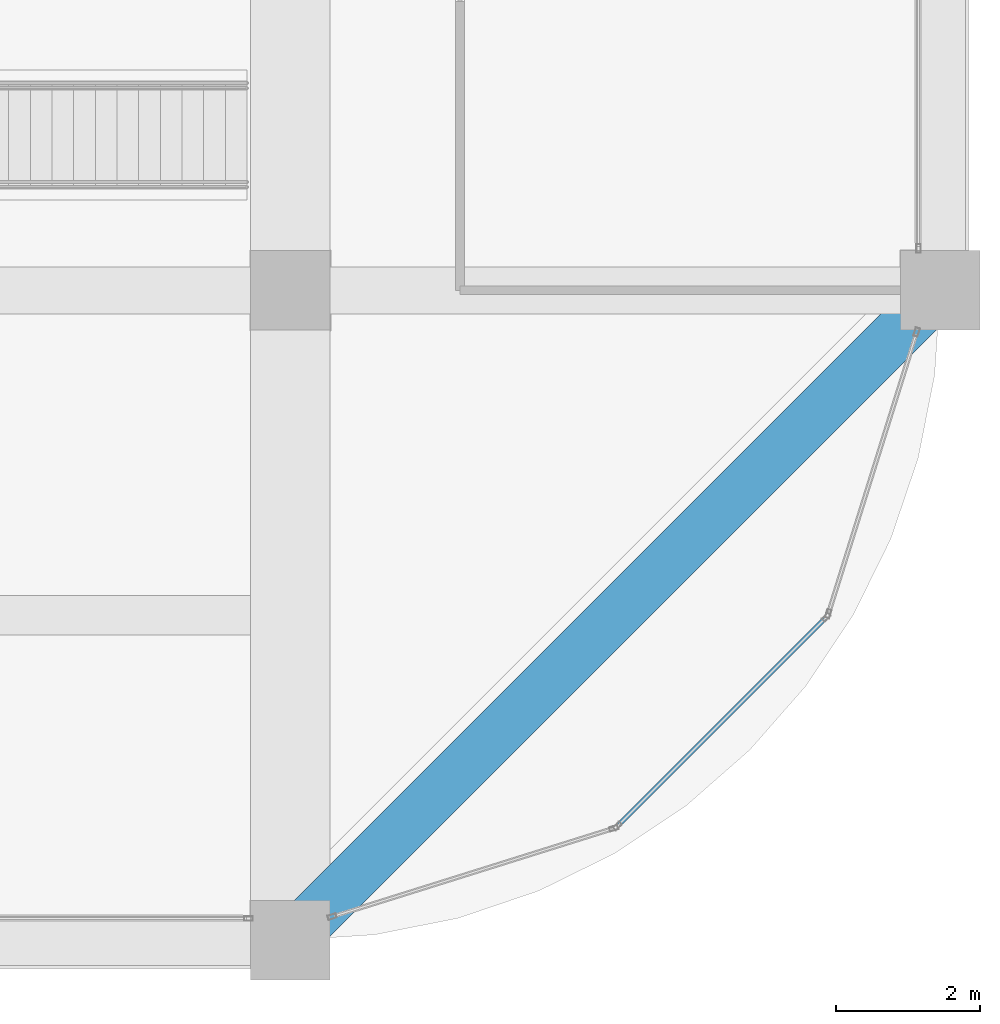
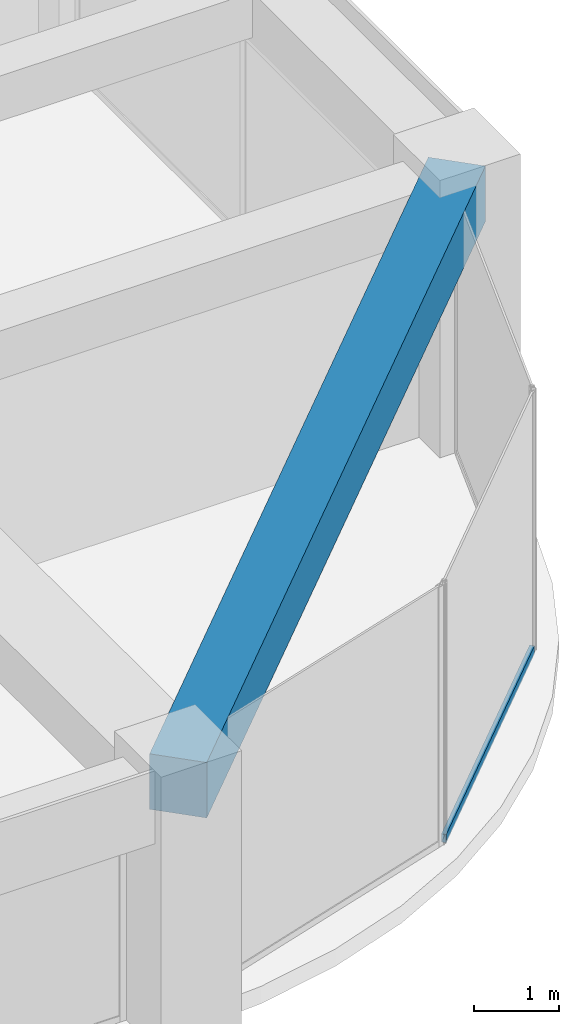
# One storey, part 19 of 44: 1 beam, 1 member, 1 element without a shape of its own.
"""IFC4 building model written with IfcOpenShell, lengths in metres."""

from ifc_helpers import new_model, si_unit, direction, frame, origin, origin_2d, place, context, subcontext, project, spatial, rectangle, hollow_rectangle, extrude, material, material_profile, profile_set, type_object, element, aggregate, save


model = new_model("IFC4")

# Units and contexts
model_context = context("Model", 3, precision=1e-05, world=origin(), true_north=direction((0.0, 1.0)))
body_context = subcontext(model_context, "Body", "Model", "MODEL_VIEW")
ifc_project = project(units=[si_unit("LENGTHUNIT", "METRE"), si_unit("AREAUNIT", "SQUARE_METRE"), si_unit("VOLUMEUNIT", "CUBIC_METRE"), si_unit("PLANEANGLEUNIT", "RADIAN"), si_unit("MASSUNIT", "GRAM", prefix="KILO")], contexts=[model_context])

# Site, building, storey
site_placement = place(None, origin())
site = spatial("IfcSite", under=ifc_project, at=site_placement, CompositionType="ELEMENT")
building_placement = place(site_placement, origin())
building = spatial("IfcBuilding", under=site, at=building_placement, Name="Zorevar Civic Tower", CompositionType="ELEMENT")
storey_placement = place(building_placement, frame((0.0, 0.0, 251.39990234375)))
storey = spatial("IfcBuildingStorey", under=building, at=storey_placement, Name="L61", CompositionType="ELEMENT", Elevation=251.39990234375)

# Curtain wall, member
ifc_material_1 = material(Name="Dark grey solar-control glass in black aluminium frame", Category="aluminium")
curtain_wall_type = type_object("IfcCurtainWallType", Name="Curtain wall CW5 top zone", PredefinedType="NOTDEFINED", material=ifc_material_1)
curtain_wall_placement = place(storey_placement, origin())
curtain_wall = element("IfcCurtainWall", 1, at=curtain_wall_placement, inside=storey, type_object=curtain_wall_type, Name="CW5 L61", PredefinedType="NOTDEFINED")
ifc_material_2 = material(Name="Aluminium, black anodised", Category="aluminium")
ifc_material_profile_1 = material_profile(ifc_material_2, hollow_rectangle(XDim=0.06005859375, YDim=0.1201171875, WallThickness=0.0029296875, at=origin_2d()), Name="AL 120x60x3")
ifc_profile_set_1 = profile_set([ifc_material_profile_1], Name="Aluminium, black anodised")
member_type = type_object("IfcMemberType", Name="CW5 transom AL 120x60x3", PredefinedType="USERDEFINED", material=ifc_profile_set_1)
member_placement = place(storey_placement, frame((49.55029296875, 1.6015625, 0.030029296875), z_axis=(0.707106781187, 0.707106781187, 0.0), x_axis=(-0.707106781187, 0.707106781187, 0.0)))
member = element("IfcMember", 2, at=member_placement, type_object=member_type, Name="CW5 sill transom", ObjectType="TRANSOM", PredefinedType="USERDEFINED", context=body_context, shape_type="SweptSolid", body=[
    extrude(hollow_rectangle(XDim=0.06005859375, YDim=0.1201171875, WallThickness=0.0029296875, at=origin_2d()), origin(), (0.0, 0.0, 1.0), 4.02783203125),
])
aggregate(curtain_wall, [member])

# Beam
ifc_material_3 = material(Name="Concrete C50/60", Category="concrete")
ifc_material_profile_2 = material_profile(ifc_material_3, rectangle(XDim=0.699951171875, YDim=0.800048828125, at=origin_2d()), Name="RC 700x800")
ifc_profile_set_2 = profile_set([ifc_material_profile_2], Name="Concrete C50/60")
beam_type = type_object("IfcBeamType", Name="Edge beam RC 700x800", PredefinedType="SPANDREL", material=ifc_profile_set_2)
beam_placement = place(storey_placement, frame((45.0, 0.0, 3.35009765625), z_axis=(0.707106781187, 0.707106781187, 0.0), x_axis=(-0.707106781187, 0.707106781187, 0.0)))
element("IfcBeam", 3, at=beam_placement, inside=storey, type_object=beam_type, Name="Corner edge beam L62", PredefinedType="SPANDREL", context=body_context, shape_type="SweptSolid", body=[
    extrude(rectangle(XDim=0.699951171875, YDim=0.800048828125, at=origin_2d()), origin(), (0.0, 0.0, 1.0), 12.72802734375),
])

save(model, "model.ifc")
